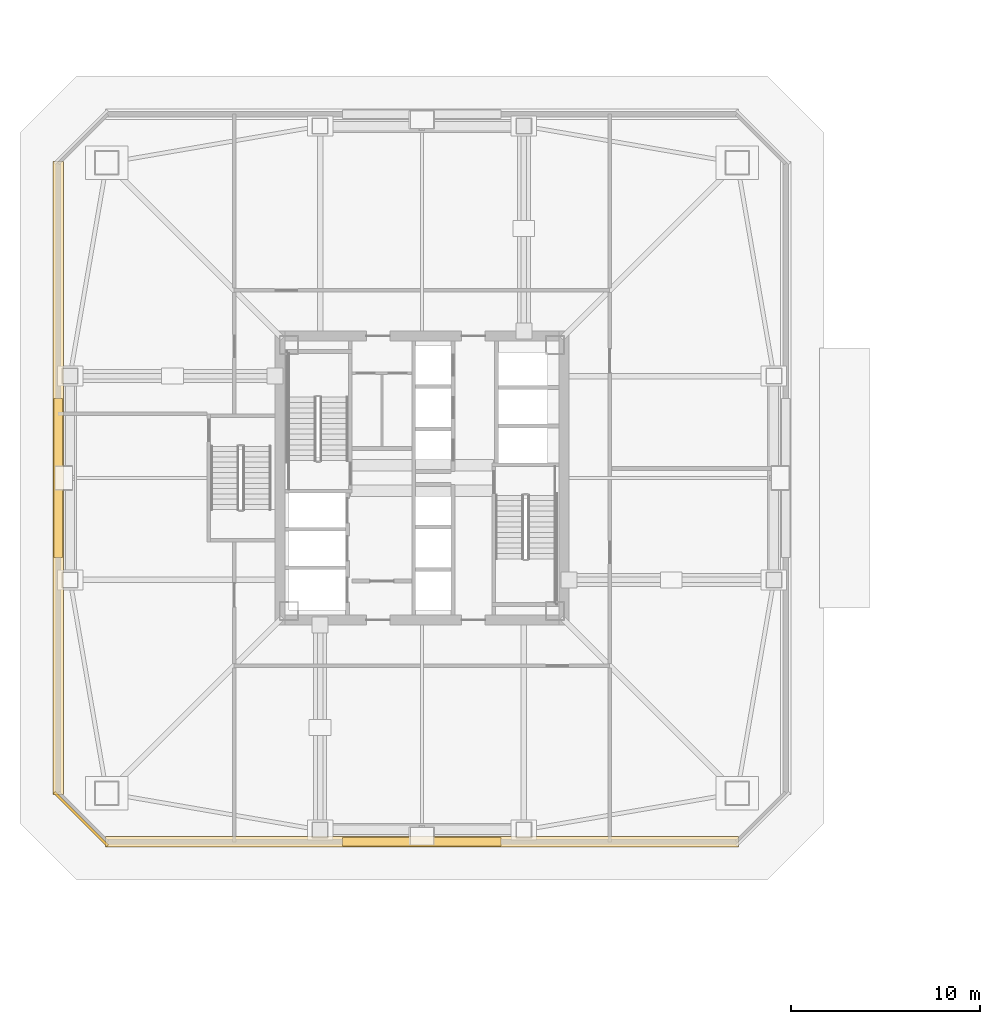
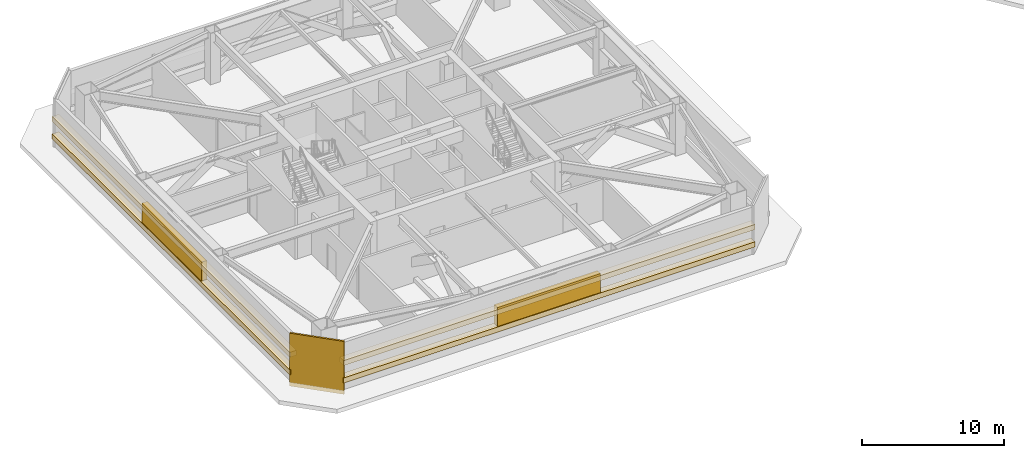
# One storey, part 10 of 15: 5 coverings, 2 shading devices.
"""IFC4 building model written with IfcOpenShell, lengths in metres."""

from ifc_helpers import new_model, si_unit, direction, frame, origin, origin_2d, place, context, subcontext, project, spatial, rectangle, extrude, material, layer, layer_set, type_object, element, save


model = new_model("IFC4")

# Units and contexts
model_context = context("Model", 3, precision=1e-05, world=origin(), true_north=direction((0.0, 1.0)))
body_context = subcontext(model_context, "Body", "Model", "MODEL_VIEW")
ifc_project = project(units=[si_unit("LENGTHUNIT", "METRE"), si_unit("AREAUNIT", "SQUARE_METRE"), si_unit("VOLUMEUNIT", "CUBIC_METRE"), si_unit("PLANEANGLEUNIT", "RADIAN"), si_unit("MASSUNIT", "GRAM", prefix="KILO")], contexts=[model_context])

# Site, building, storey
site_placement = place(None, origin())
site = spatial("IfcSite", under=ifc_project, at=site_placement, CompositionType="ELEMENT")
building_placement = place(site_placement, origin())
building = spatial("IfcBuilding", under=site, at=building_placement, Name="Tashvorn Skyway Center", CompositionType="ELEMENT")
storey_placement = place(building_placement, frame((0.0, 0.0, 109.800048828125)))
storey = spatial("IfcBuildingStorey", under=building, at=storey_placement, Name="L29", CompositionType="ELEMENT", Elevation=109.800048828125)

# Coverings
ifc_material_1 = material(Name="Perforated ceramic-coated bronze aluminium solar screen", Category="aluminium")
ifc_layer_1 = layer(ifc_material_1, 0.85009765625)
ifc_layer_set_1 = layer_set([ifc_layer_1], Name="Perforated ceramic-coated bronze aluminium solar screen")
covering_type_1 = type_object("IfcCoveringType", Name="COV-SOLAR-BAND", PredefinedType="CLADDING", material=ifc_layer_set_1)
for number, where, z_axis, x_axis, name in (
    (1, (42.0, 12.719970703125, 1.030029296875), (0.0, 0.0, 1.0), (-1.0, 0.0, 0.0), "Tower 1 L29 South Belt Acoustic Louvre Band 1"),
    (2, (42.0, 12.719970703125, 2.530029296875), (0.0, 0.0, 1.0), (-1.0, 0.0, 0.0), "Tower 1 L29 South Belt Acoustic Louvre Band 2"),
    (3, (22.719970703125, 32.0, 1.030029296875), (0.0, 0.0, 1.0), (0.0, 1.0, 0.0), "Tower 1 L29 West Belt Acoustic Louvre Band 1"),
    (4, (22.719970703125, 32.0, 2.530029296875), (0.0, 0.0, 1.0), (0.0, 1.0, 0.0), "Tower 1 L29 West Belt Acoustic Louvre Band 2"),
):
    element("IfcCovering", number, at=place(storey_placement, frame(where, z_axis=z_axis, x_axis=x_axis)), inside=storey, type_object=covering_type_1, Name=name, PredefinedType="CLADDING", context=body_context, shape_type="SweptSolid", body=[
        extrude(rectangle(XDim=33.56005859375, YDim=0.550048828125, at=origin_2d()), origin(), (0.0, 0.0, 1.0), 0.43994140625),
    ])
ifc_material_2 = material(Name="Precast concrete C40/50", Category="concrete")
ifc_layer_2 = layer(ifc_material_2, 0.35009765625)
ifc_layer_set_2 = layer_set([ifc_layer_2], Name="Precast concrete C40/50")
covering_type_2 = type_object("IfcCoveringType", Name="COV-STONE-TRIM", PredefinedType="CLADDING", material=ifc_layer_set_2)
covering_placement = place(storey_placement, frame((23.929931640625, 13.929931640625, 0.02001953125), z_axis=(0.0, 0.0, 1.0), x_axis=(-0.707106781187, 0.707106781187, 0.0)))
element("IfcCovering", 5, at=covering_placement, inside=storey, type_object=covering_type_2, Name="Tower 1 L29 SW Mojave Limestone Corner Quoin", PredefinedType="CLADDING", context=body_context, shape_type="SweptSolid", body=[
    extrude(rectangle(XDim=3.978515625, YDim=0.139892578125, at=origin_2d()), origin(), (0.0, 0.0, 1.0), 4.56005859375),
])

# Shading devices
ifc_material_3 = material(Name="Thermally broken bronze-anodized aluminium 6063-T6", Category="aluminium")
ifc_layer_3 = layer(ifc_material_3, 0.1201171875)
ifc_layer_set_3 = layer_set([ifc_layer_3], Name="Thermally broken bronze-anodized aluminium 6063-T6")
shading_device_type = type_object("IfcShadingDeviceType", Name="SHD-LOUVRE-450", PredefinedType="JALOUSIE", material=ifc_layer_set_3)
for number, where, z_axis, x_axis, name in (
    (6, (42.0, 12.719970703125, 1.2998046875), (0.0, 0.0, 1.0), (-1.0, 0.0, 0.0), "Tower 1 L29 South Mechanical Intake Louvre"),
    (7, (22.719970703125, 32.0, 1.2998046875), (0.0, 0.0, 1.0), (0.0, 1.0, 0.0), "Tower 1 L29 West Mechanical Intake Louvre"),
):
    element("IfcShadingDevice", number, at=place(storey_placement, frame(where, z_axis=z_axis, x_axis=x_axis)), inside=storey, type_object=shading_device_type, Name=name, PredefinedType="JALOUSIE", context=body_context, shape_type="SweptSolid", body=[
        extrude(rectangle(XDim=8.39990234375, YDim=0.449951171875, at=origin_2d()), origin(), (0.0, 0.0, 1.0), 1.800048828125),
    ])

save(model, "model.ifc")
